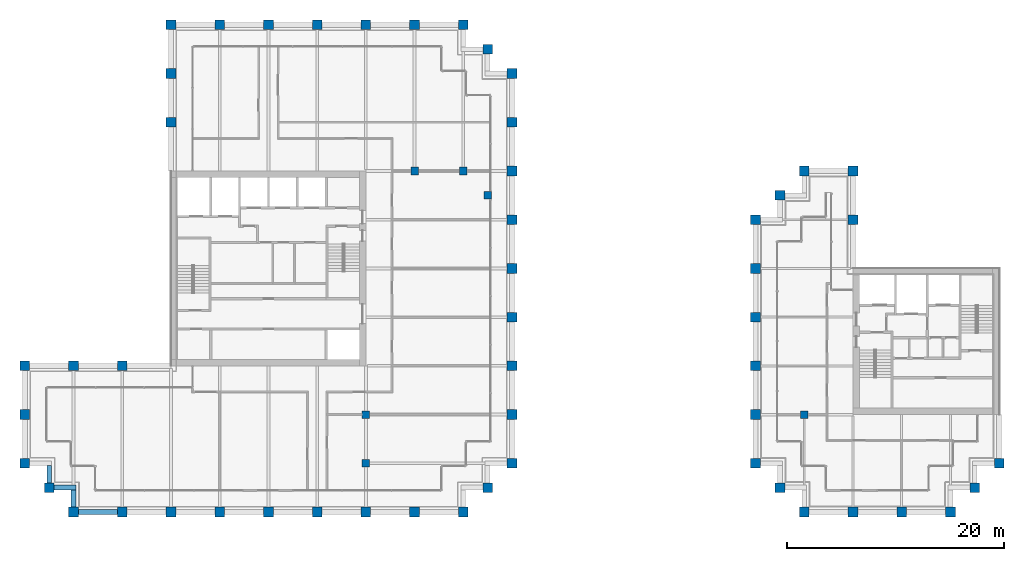
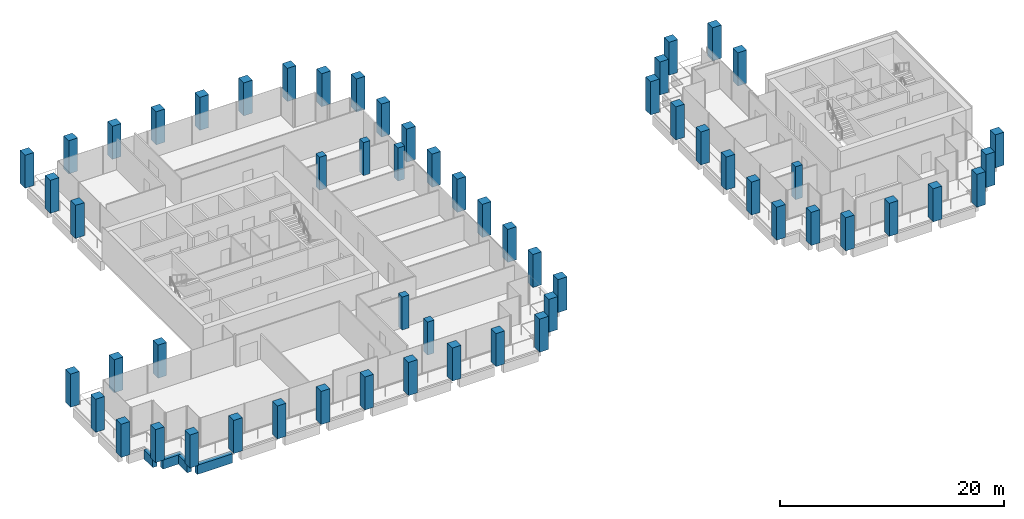
# One storey, part 1 of 40: 58 columns, 4 beams.
"""IFC4 building model written with IfcOpenShell, lengths in metres."""

from ifc_helpers import new_model, si_unit, direction, frame, origin, origin_2d, place, context, subcontext, project, spatial, rectangle, extrude, material, material_profile, profile_set, type_object, element, save


model = new_model("IFC4")

# Units and contexts
model_context = context("Model", 3, precision=1e-05, world=origin(), true_north=direction((0.0, 1.0)))
body_context = subcontext(model_context, "Body", "Model", "MODEL_VIEW")
ifc_project = project(units=[si_unit("LENGTHUNIT", "METRE"), si_unit("AREAUNIT", "SQUARE_METRE"), si_unit("VOLUMEUNIT", "CUBIC_METRE"), si_unit("PLANEANGLEUNIT", "RADIAN"), si_unit("MASSUNIT", "GRAM", prefix="KILO")], contexts=[model_context])

# Site, building, storey
site_placement = place(None, origin())
site = spatial("IfcSite", under=ifc_project, at=site_placement, CompositionType="ELEMENT")
building_placement = place(site_placement, origin())
building = spatial("IfcBuilding", under=site, at=building_placement, Name="Altepetl Exchange Towers", CompositionType="ELEMENT")
storey_placement = place(building_placement, frame((0.0, 0.0, 176.199951171875)))
storey = spatial("IfcBuildingStorey", under=building, at=storey_placement, Name="L44", CompositionType="ELEMENT", Elevation=176.199951171875)

# Columns
ifc_material_1 = material(Name="Concrete C70/85", Category="concrete")
ifc_material_profile_1 = material_profile(ifc_material_1, rectangle(XDim=0.699951171875, YDim=0.699951171875, at=origin_2d()), Name="700 x 700")
ifc_profile_set_1 = profile_set([ifc_material_profile_1], Name="Concrete C70/85")
column_type_1 = type_object("IfcColumnType", Name="Interior column 700", PredefinedType="COLUMN", material=ifc_profile_set_1)
for number, where, name in (
    (1, (58.5, 31.5, 0.0), "col:A:L44:035"),
    (2, (58.5, 36.0, 0.0), "col:A:L44:036"),
    (3, (63.0, 58.5, 0.0), "col:A:L44:037"),
    (4, (67.5, 58.5, 0.0), "col:A:L44:038"),
    (5, (69.75, 56.25, 0.0), "col:A:L44:039"),
    (6, (99.0, 36.0, 0.0), "col:B:L44:017"),
):
    element("IfcColumn", number, at=place(storey_placement, frame(where)), inside=storey, type_object=column_type_1, Name=name, PredefinedType="COLUMN", context=body_context, shape_type="SweptSolid", body=[
        extrude(rectangle(XDim=0.699951171875, YDim=0.699951171875, at=origin_2d()), origin(), (0.0, 0.0, 1.0), 3.60009765625),
    ])
ifc_material_2 = material(Name="Concrete C70/85 precast with cantera amarilla facing", Category="concrete")
ifc_material_profile_2 = material_profile(ifc_material_2, rectangle(XDim=0.89990234375, YDim=0.89990234375, at=origin_2d()), Name="900 x 900")
ifc_profile_set_2 = profile_set([ifc_material_profile_2], Name="Concrete C70/85 precast with cantera amarilla facing")
column_type_2 = type_object("IfcColumnType", Name="Perimeter column 900 cantera amarilla", PredefinedType="COLUMN", material=ifc_profile_set_2)
for number, where, name in (
    (7, (58.5, 27.0, 0.0), "col:A:L44:006"),
    (8, (63.0, 27.0, 0.0), "col:A:L44:007"),
    (9, (67.5, 27.0, 0.0), "col:A:L44:008"),
    (10, (69.75, 29.25, 0.0), "col:A:L44:009"),
    (11, (72.0, 31.5, 0.0), "col:A:L44:010"),
    (12, (72.0, 36.0, 0.0), "col:A:L44:011"),
    (13, (72.0, 40.5, 0.0), "col:A:L44:012"),
    (14, (72.0, 45.0, 0.0), "col:A:L44:013"),
    (15, (72.0, 49.5, 0.0), "col:A:L44:014"),
    (16, (72.0, 54.0, 0.0), "col:A:L44:015"),
):
    element("IfcColumn", number, at=place(storey_placement, frame(where)), inside=storey, type_object=column_type_2, Name=name, PredefinedType="COLUMN", context=body_context, shape_type="SweptSolid", body=[
        extrude(rectangle(XDim=0.89990234375, YDim=0.89990234375, at=origin_2d()), origin(), (0.0, 0.0, 1.0), 3.60009765625),
    ])
ifc_material_3 = material(Name="Concrete C70/85 precast with cantera blanca facing", Category="concrete")
ifc_material_profile_3 = material_profile(ifc_material_3, rectangle(XDim=0.89990234375, YDim=0.89990234375, at=origin_2d()), Name="900 x 900")
ifc_profile_set_3 = profile_set([ifc_material_profile_3], Name="Concrete C70/85 precast with cantera blanca facing")
column_type_3 = type_object("IfcColumnType", Name="Perimeter column 900 cantera blanca", PredefinedType="COLUMN", material=ifc_profile_set_3)
for number, where, name in (
    (17, (31.5, 27.0, 0.0), "col:A:L44:000"),
    (18, (36.0, 27.0, 0.0), "col:A:L44:001"),
    (19, (40.5, 27.0, 0.0), "col:A:L44:002"),
    (20, (45.0, 27.0, 0.0), "col:A:L44:003"),
    (21, (49.5, 27.0, 0.0), "col:A:L44:004"),
    (22, (54.0, 27.0, 0.0), "col:A:L44:005"),
    (23, (27.0, 36.0, 0.0), "col:A:L44:032"),
    (24, (27.0, 31.5, 0.0), "col:A:L44:033"),
    (25, (29.25, 29.25, 0.0), "col:A:L44:034"),
    (26, (117.0, 31.5, 0.0), "col:B:L44:005"),
):
    element("IfcColumn", number, at=place(storey_placement, frame(where)), inside=storey, type_object=column_type_3, Name=name, PredefinedType="COLUMN", context=body_context, shape_type="SweptSolid", body=[
        extrude(rectangle(XDim=0.89990234375, YDim=0.89990234375, at=origin_2d()), origin(), (0.0, 0.0, 1.0), 3.60009765625),
    ])
ifc_material_4 = material(Name="Concrete C70/85 precast with cantera rosa facing", Category="concrete")
ifc_material_profile_4 = material_profile(ifc_material_4, rectangle(XDim=0.89990234375, YDim=0.89990234375, at=origin_2d()), Name="900 x 900")
ifc_profile_set_4 = profile_set([ifc_material_profile_4], Name="Concrete C70/85 precast with cantera rosa facing")
column_type_4 = type_object("IfcColumnType", Name="Perimeter column 900 cantera rosa", PredefinedType="COLUMN", material=ifc_profile_set_4)
for number, where, name in (
    (27, (72.0, 58.5, 0.0), "col:A:L44:016"),
    (28, (72.0, 63.0, 0.0), "col:A:L44:017"),
    (29, (72.0, 67.5, 0.0), "col:A:L44:018"),
    (30, (69.75, 69.75, 0.0), "col:A:L44:019"),
    (31, (67.5, 72.0, 0.0), "col:A:L44:020"),
    (32, (63.0, 72.0, 0.0), "col:A:L44:021"),
    (33, (58.5, 72.0, 0.0), "col:A:L44:022"),
    (34, (54.0, 72.0, 0.0), "col:A:L44:023"),
    (35, (49.5, 72.0, 0.0), "col:A:L44:024"),
    (36, (45.0, 72.0, 0.0), "col:A:L44:025"),
    (37, (103.5, 54.0, 0.0), "col:B:L44:006"),
    (38, (103.5, 58.5, 0.0), "col:B:L44:007"),
    (39, (99.0, 58.5, 0.0), "col:B:L44:008"),
    (40, (96.75, 56.25, 0.0), "col:B:L44:009"),
    (41, (94.5, 54.0, 0.0), "col:B:L44:010"),
    (42, (94.5, 49.5, 0.0), "col:B:L44:011"),
    (43, (94.5, 45.0, 0.0), "col:B:L44:012"),
    (44, (94.5, 40.5, 0.0), "col:B:L44:013"),
    (45, (94.5, 36.0, 0.0), "col:B:L44:014"),
):
    element("IfcColumn", number, at=place(storey_placement, frame(where)), inside=storey, type_object=column_type_4, Name=name, PredefinedType="COLUMN", context=body_context, shape_type="SweptSolid", body=[
        extrude(rectangle(XDim=0.89990234375, YDim=0.89990234375, at=origin_2d()), origin(), (0.0, 0.0, 1.0), 3.60009765625),
    ])
ifc_material_5 = material(Name="Concrete C70/85 precast with tezontle facing", Category="concrete")
ifc_material_profile_5 = material_profile(ifc_material_5, rectangle(XDim=0.89990234375, YDim=0.89990234375, at=origin_2d()), Name="900 x 900")
ifc_profile_set_5 = profile_set([ifc_material_profile_5], Name="Concrete C70/85 precast with tezontle facing")
column_type_5 = type_object("IfcColumnType", Name="Perimeter column 900 tezontle", PredefinedType="COLUMN", material=ifc_profile_set_5)
for number, where, name in (
    (46, (40.5, 72.0, 0.0), "col:A:L44:026"),
    (47, (40.5, 67.5, 0.0), "col:A:L44:027"),
    (48, (40.5, 63.0, 0.0), "col:A:L44:028"),
    (49, (36.0, 40.5, 0.0), "col:A:L44:029"),
    (50, (31.5, 40.5, 0.0), "col:A:L44:030"),
    (51, (27.0, 40.5, 0.0), "col:A:L44:031"),
    (52, (99.0, 27.0, 0.0), "col:B:L44:000"),
    (53, (103.5, 27.0, 0.0), "col:B:L44:001"),
    (54, (108.0, 27.0, 0.0), "col:B:L44:002"),
    (55, (112.5, 27.0, 0.0), "col:B:L44:003"),
    (56, (114.75, 29.25, 0.0), "col:B:L44:004"),
    (57, (94.5, 31.5, 0.0), "col:B:L44:015"),
    (58, (96.75, 29.25, 0.0), "col:B:L44:016"),
):
    element("IfcColumn", number, at=place(storey_placement, frame(where)), inside=storey, type_object=column_type_5, Name=name, PredefinedType="COLUMN", context=body_context, shape_type="SweptSolid", body=[
        extrude(rectangle(XDim=0.89990234375, YDim=0.89990234375, at=origin_2d()), origin(), (0.0, 0.0, 1.0), 3.60009765625),
    ])

# Beams
ifc_material_6 = material(Name="Concrete C50/60 precast with cantera blanca facing", Category="concrete")
ifc_material_profile_6 = material_profile(ifc_material_6, rectangle(XDim=0.449951171875, YDim=1.0, at=origin_2d()), Name="450 x 1000")
ifc_profile_set_6 = profile_set([ifc_material_profile_6], Name="Concrete C50/60 precast with cantera blanca facing")
beam_type = type_object("IfcBeamType", Name="Spandrel beam 450x1000 cantera blanca", PredefinedType="SPANDREL", material=ifc_profile_set_6)
beam_1_placement = place(storey_placement, frame((31.949951171875, 27.0, -0.64990234375), z_axis=(1.0, 0.0, 0.0), x_axis=(0.0, 1.0, 0.0)))
element("IfcBeam", 59, at=beam_1_placement, inside=storey, type_object=beam_type, Name="sp:A:L44:000", PredefinedType="SPANDREL", context=body_context, shape_type="SweptSolid", body=[
    extrude(rectangle(XDim=0.449951171875, YDim=1.0, at=origin_2d()), origin(), (0.0, 0.0, 1.0), 3.60009765625),
])
beam_2_placement = place(storey_placement, frame((29.25, 31.27490234375, -0.64990234375), z_axis=(0.0, -1.0, 0.0), x_axis=(1.0, 0.0, 0.0)))
element("IfcBeam", 60, at=beam_2_placement, inside=storey, type_object=beam_type, Name="sp:A:L44:039", PredefinedType="SPANDREL", context=body_context, shape_type="SweptSolid", body=[
    extrude(rectangle(XDim=0.449951171875, YDim=1.0, at=origin_2d()), origin(), (0.0, 0.0, 1.0), 1.574951171875),
])
beam_3_placement = place(storey_placement, frame((29.699951171875, 29.25, -0.64990234375), z_axis=(1.0, 0.0, 0.0), x_axis=(0.0, 1.0, 0.0)))
element("IfcBeam", 61, at=beam_3_placement, inside=storey, type_object=beam_type, Name="sp:A:L44:040", PredefinedType="SPANDREL", context=body_context, shape_type="SweptSolid", body=[
    extrude(rectangle(XDim=0.449951171875, YDim=1.0, at=origin_2d()), origin(), (0.0, 0.0, 1.0), 2.025146484375),
])
beam_4_placement = place(storey_placement, frame((31.5, 29.02490234375, -0.64990234375), z_axis=(0.0, -1.0, 0.0), x_axis=(1.0, 0.0, 0.0)))
element("IfcBeam", 62, at=beam_4_placement, inside=storey, type_object=beam_type, Name="sp:A:L44:041", PredefinedType="SPANDREL", context=body_context, shape_type="SweptSolid", body=[
    extrude(rectangle(XDim=0.449951171875, YDim=1.0, at=origin_2d()), origin(), (0.0, 0.0, 1.0), 1.574951171875),
])

save(model, "model.ifc")
